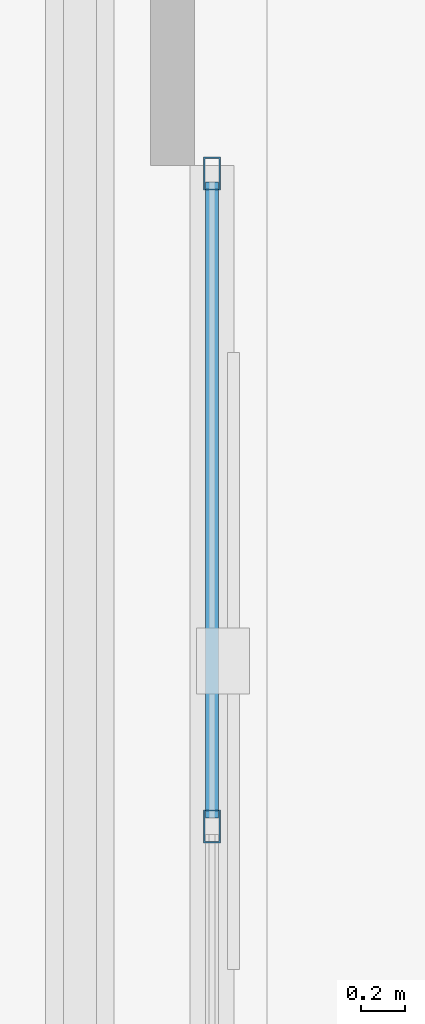
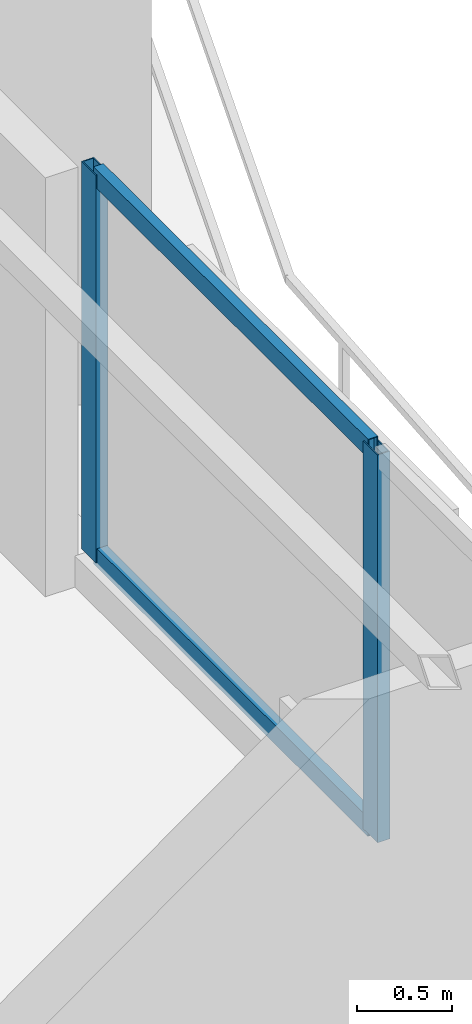
# One storey, part 13 of 22: 4 members, 1 element without a shape of its own.
"""IFC4 building model written with IfcOpenShell, lengths in metres."""

from ifc_helpers import new_model, si_unit, direction, frame, origin, origin_2d, place, context, subcontext, project, spatial, hollow_rectangle, extrude, material, layer, layer_set, material_profile, profile_set, type_object, element, aggregate, save


model = new_model("IFC4")

# Units and contexts
model_context = context("Model", 3, precision=1e-05, world=origin(), true_north=direction((0.0, 1.0)))
body_context = subcontext(model_context, "Body", "Model", "MODEL_VIEW")
ifc_project = project(units=[si_unit("LENGTHUNIT", "METRE"), si_unit("AREAUNIT", "SQUARE_METRE"), si_unit("VOLUMEUNIT", "CUBIC_METRE"), si_unit("PLANEANGLEUNIT", "RADIAN"), si_unit("MASSUNIT", "GRAM", prefix="KILO")], contexts=[model_context])

# Site, building, storey
site_placement = place(None, origin())
site = spatial("IfcSite", under=ifc_project, at=site_placement, CompositionType="ELEMENT")
building_placement = place(site_placement, origin())
building = spatial("IfcBuilding", under=site, at=building_placement, Name="Mersakhor Tower and Convention Hall", CompositionType="ELEMENT")
storey_placement = place(building_placement, frame((0.0, 0.0, 192.0)))
storey = spatial("IfcBuildingStorey", under=building, at=storey_placement, Name="L53", CompositionType="ELEMENT", Elevation=192.0)

# Curtain wall, members
ifc_material_1 = material(Name="Dark solar low-E aluminium curtain wall", Category="aluminium")
ifc_layer = layer(ifc_material_1, 0.169921875)
ifc_layer_set = layer_set([ifc_layer], Name="Dark solar low-E aluminium curtain wall")
curtain_wall_type = type_object("IfcCurtainWallType", Name="CW-SYS-02", PredefinedType="USERDEFINED", material=ifc_layer_set)
curtain_wall_placement = place(storey_placement, origin())
curtain_wall = element("IfcCurtainWall", 1, at=curtain_wall_placement, inside=storey, type_object=curtain_wall_type, Name="L53 Dark-Glass Curtain Wall F2-B2", ObjectType="CURTAIN WALL", PredefinedType="USERDEFINED")
ifc_material_2 = material(Name="Anodised aluminium EN AW-6063 T6", Category="aluminium")
ifc_material_profile_1 = material_profile(ifc_material_2, hollow_rectangle(XDim=0.074951171875, YDim=0.14990234375, WallThickness=0.00634765625, at=origin_2d()), Name="RHS 150x75x6.3")
ifc_profile_set_1 = profile_set([ifc_material_profile_1], Name="Anodised aluminium EN AW-6063 T6")
member_type_1 = type_object("IfcMemberType", Name="CWM-150x75", PredefinedType="MULLION", material=ifc_profile_set_1)
member_1_placement = place(storey_placement, frame((40.58837890625, 31.2119140625, 0.199951171875), z_axis=(0.0, 0.0, 1.0), x_axis=(1.0, 0.0, 0.0)))
member_1 = element("IfcMember", 2, at=member_1_placement, type_object=member_type_1, Name="CW-02 mullion 1", PredefinedType="MULLION", context=body_context, shape_type="SweptSolid", body=[
    extrude(hollow_rectangle(XDim=0.074951171875, YDim=0.14990234375, WallThickness=0.00634765625, at=origin_2d()), origin(), (0.0, 0.0, 1.0), 2.489990234375),
])
member_2_placement = place(storey_placement, frame((40.58837890625, 28.249755859375, 0.199951171875), z_axis=(0.0, 0.0, 1.0), x_axis=(1.0, 0.0, 0.0)))
member_2 = element("IfcMember", 3, at=member_2_placement, type_object=member_type_1, Name="CW-02 mullion 2", PredefinedType="MULLION", context=body_context, shape_type="SweptSolid", body=[
    extrude(hollow_rectangle(XDim=0.074951171875, YDim=0.14990234375, WallThickness=0.00634765625, at=origin_2d()), origin(), (0.0, 0.0, 1.0), 2.489990234375),
])
ifc_material_3 = material(Name="Anodised aluminium EN AW-6063 T6", Category="aluminium")
ifc_material_profile_2 = material_profile(ifc_material_3, hollow_rectangle(XDim=0.06005859375, YDim=0.1201171875, WallThickness=0.0048828125, at=origin_2d()), Name="RHS 120x60x5")
ifc_profile_set_2 = profile_set([ifc_material_profile_2], Name="Anodised aluminium EN AW-6063 T6")
member_type_2 = type_object("IfcMemberType", Name="CWT-120x60", PredefinedType="USERDEFINED", material=ifc_profile_set_2)
member_3_placement = place(storey_placement, frame((40.58837890625, 31.174560546875, 0.22998046875), z_axis=(0.0, -1.0, 0.0), x_axis=(1.0, 0.0, 0.0)))
member_3 = element("IfcMember", 4, at=member_3_placement, type_object=member_type_2, Name="CW-02 transom 1.1", ObjectType="TRANSOM", PredefinedType="USERDEFINED", context=body_context, shape_type="SweptSolid", body=[
    extrude(hollow_rectangle(XDim=0.06005859375, YDim=0.1201171875, WallThickness=0.0048828125, at=origin_2d()), origin(), (0.0, 0.0, 1.0), 2.88720703125),
])
member_4_placement = place(storey_placement, frame((40.58837890625, 31.174560546875, 2.659912109375), z_axis=(0.0, -1.0, 0.0), x_axis=(1.0, 0.0, 0.0)))
member_4 = element("IfcMember", 5, at=member_4_placement, type_object=member_type_2, Name="CW-02 transom 1.2", ObjectType="TRANSOM", PredefinedType="USERDEFINED", context=body_context, shape_type="SweptSolid", body=[
    extrude(hollow_rectangle(XDim=0.06005859375, YDim=0.1201171875, WallThickness=0.0048828125, at=origin_2d()), origin(), (0.0, 0.0, 1.0), 2.88720703125),
])
aggregate(curtain_wall, [member_1, member_2, member_3, member_4])

save(model, "model.ifc")
